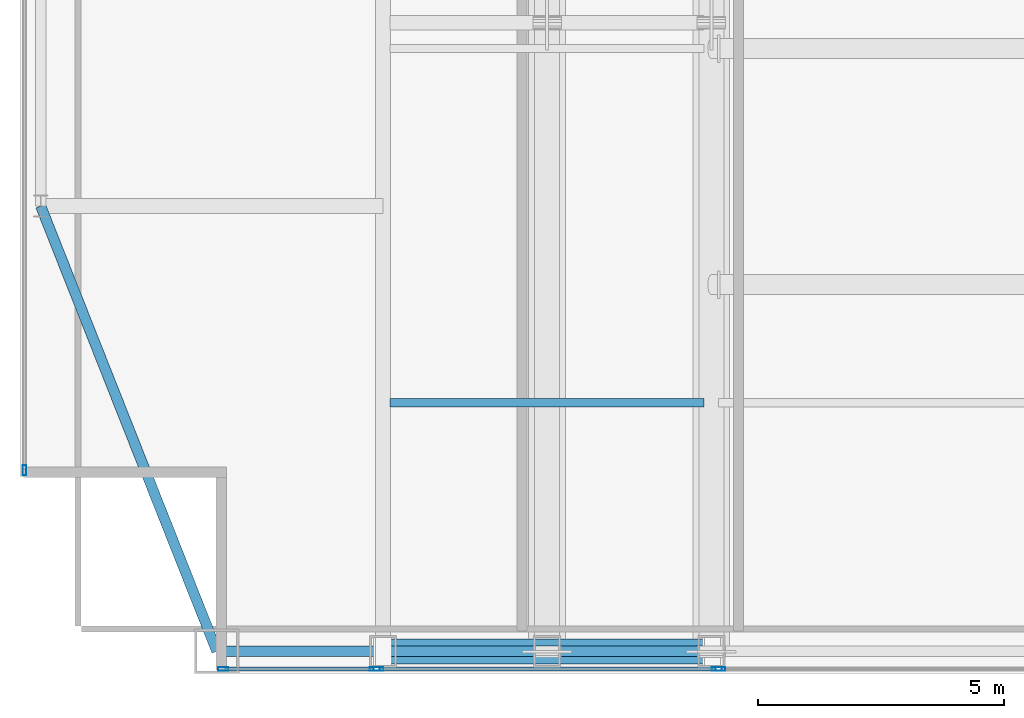
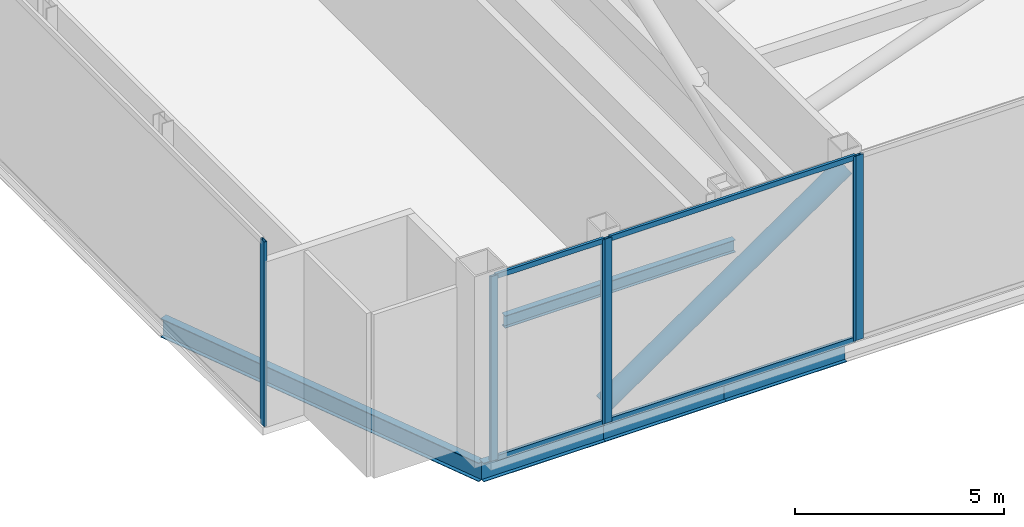
# One storey, part 4 of 26: 11 members, 5 beams, 4 elements without a shape of their own.
"""IFC4 building model written with IfcOpenShell, lengths in metres."""

import ifcopenshell
import ifcopenshell.guid

model = None  # the IFC model being written
_history = None  # IfcOwnerHistory: only IFC2X3 demands one
_inside = {}  # id of a spatial element -> (the spatial element, [elements in it])
_under = {}  # id of a project, library or spatial element -> (it, [spatial elements below it])
_declared = {}  # id of a project -> (the project, [libraries it declares])
_typed = {}  # id of a type object -> (the type object, [elements of that type])
_made_of = {}  # id of a material, layer set ... -> (it, [elements and type objects made of it])


def new_model(schema):
    """Start an empty IFC model of exactly this schema.

    Asked for "IFC4X3", IfcOpenShell would pick the latest addendum, in which some entities
    have other attributes; the version numbers below select the first issue.
    IFC2X3 requires an IfcOwnerHistory on every rooted entity: one is made here for all.
    """
    global model, _history
    if schema == "IFC4X3":
        model = ifcopenshell.file(schema_version=(4, 3, 0, 0))
    else:
        model = ifcopenshell.file(schema=schema)
    _inside.clear()
    _under.clear()
    _declared.clear()
    _typed.clear()
    _made_of.clear()
    _history = None
    if model.schema == "IFC2X3":
        org = make("IfcOrganization", Name="unknown")
        user = make(
            "IfcPersonAndOrganization",
            ThePerson=make("IfcPerson", FamilyName="unknown"),
            TheOrganization=org,
        )
        app = make(
            "IfcApplication",
            ApplicationDeveloper=org,
            Version="unknown",
            ApplicationFullName="unknown",
            ApplicationIdentifier="unknown",
        )
        _history = make(
            "IfcOwnerHistory",
            OwningUser=user,
            OwningApplication=app,
            ChangeAction="ADDED",
            CreationDate=0,
        )
    return model


def make(cls, **values):
    """One entity of the class cls with the attributes given. An attribute that is None is left unset."""
    return model.create_entity(
        cls, **{name: value for name, value in values.items() if value is not None}
    )


def rooted(cls, **values):
    """An entity with a GlobalId (a new one), such as an element, a storey or a relation."""
    return make(cls, GlobalId=ifcopenshell.guid.new(), OwnerHistory=_history, **values)


def si_unit(unit_type, name, prefix=None):
    """IfcSIUnit, for example si_unit("LENGTHUNIT", "METRE", prefix="MILLI")."""
    return make("IfcSIUnit", UnitType=unit_type, Prefix=prefix, Name=name)


def assignment(units):
    """IfcUnitAssignment: the units of a project."""
    return None if units is None else make("IfcUnitAssignment", Units=units)


def point(xyz):
    """IfcCartesianPoint."""
    return None if xyz is None else make("IfcCartesianPoint", Coordinates=xyz)


def direction(xyz):
    """IfcDirection."""
    return None if xyz is None else make("IfcDirection", DirectionRatios=xyz)


def frame(location, z_axis=None, x_axis=None):
    """IfcAxis2Placement3D, a coordinate frame: its origin and axes. An axis left out is left unset."""
    return make(
        "IfcAxis2Placement3D",
        Location=point(location),
        Axis=direction(z_axis),
        RefDirection=direction(x_axis),
    )


def frame_2d(location, x_axis=None):
    """IfcAxis2Placement2D, a coordinate frame in the plane: its origin and x axis."""
    return make(
        "IfcAxis2Placement2D", Location=point(location), RefDirection=direction(x_axis)
    )


def origin():
    """The frame at (0, 0, 0) with its axes left unset."""
    return frame((0.0, 0.0, 0.0))


def origin_2d():
    """The frame at (0, 0) in the plane with its x axis left unset."""
    return frame_2d((0.0, 0.0))


def place(relative_to, where):
    """IfcLocalPlacement: puts the frame where relative to a parent placement (None: the world)."""
    return make(
        "IfcLocalPlacement", PlacementRelTo=relative_to, RelativePlacement=where
    )


def context(
    kind, dimensions, precision=None, world=None, true_north=None, identifier=None
):
    """IfcGeometricRepresentationContext, for example the 3D "Model" context."""
    return make(
        "IfcGeometricRepresentationContext",
        ContextIdentifier=identifier,
        ContextType=kind,
        CoordinateSpaceDimension=dimensions,
        Precision=precision,
        WorldCoordinateSystem=world,
        TrueNorth=true_north,
    )


def subcontext(parent, identifier, kind, view, scale=None):
    """IfcGeometricRepresentationSubContext, for example "Body" below "Model"."""
    return make(
        "IfcGeometricRepresentationSubContext",
        ContextIdentifier=identifier,
        ContextType=kind,
        ParentContext=parent,
        TargetScale=scale,
        TargetView=view,
    )


def project(units=None, contexts=None):
    """IfcProject with its units and contexts."""
    return rooted(
        "IfcProject",
        Name="project",
        RepresentationContexts=contexts,
        UnitsInContext=assignment(units),
    )


def spatial(cls, under=None, at=None, **own):
    """A site, building, storey or space (cls), placed at a placement, below another one or the project."""
    s = rooted(cls, ObjectPlacement=at, **own)
    if under is not None:
        _under.setdefault(under.id(), (under, []))[1].append(s)
    return s


def profile(cls, at=None, kind="AREA", **sizes):
    """A parametric profile (cls). Its sizes go by their IFC names, for example OverallWidth=200.0."""
    return make(cls, ProfileType=kind, Position=at, **sizes)


def hollow_rectangle(**sizes):
    """IfcRectangleHollowProfileDef."""
    return profile("IfcRectangleHollowProfileDef", **sizes)


def hollow_circle(**sizes):
    """IfcCircleHollowProfileDef."""
    return profile("IfcCircleHollowProfileDef", **sizes)


def i_section(**sizes):
    """IfcIShapeProfileDef."""
    return profile("IfcIShapeProfileDef", **sizes)


def extrude(swept, where, along, depth):
    """IfcExtrudedAreaSolid: the profile swept, set in the frame where, extruded along a direction by depth."""
    return make(
        "IfcExtrudedAreaSolid",
        SweptArea=swept,
        Position=where,
        ExtrudedDirection=direction(along),
        Depth=depth,
    )


def shape(context_of_items, identifier, shape_type, items):
    """IfcShapeRepresentation: the items that make up one representation, for example the "Body"."""
    return make(
        "IfcShapeRepresentation",
        ContextOfItems=context_of_items,
        RepresentationIdentifier=identifier,
        RepresentationType=shape_type,
        Items=items,
    )


def material(Name=None, Category=None):
    """IfcMaterial."""
    return make("IfcMaterial", Name=Name, Category=Category)


def material_profile(
    of_material, cross_section, Name=None, Category=None, Priority=None
):
    """IfcMaterialProfile: a cross section and its material."""
    return make(
        "IfcMaterialProfile",
        Name=Name,
        Material=of_material,
        Profile=cross_section,
        Priority=Priority,
        Category=Category,
    )


def profile_set(profiles, Name=None, composite=None):
    """IfcMaterialProfileSet."""
    return make(
        "IfcMaterialProfileSet",
        Name=Name,
        MaterialProfiles=profiles,
        CompositeProfile=composite,
    )


def made_of(thing, what):
    """Note that an element or type object is made of a material, layer set ...; save() writes the relation."""
    if what is not None:
        _made_of.setdefault(what.id(), (what, []))[1].append(thing)
    return thing


def type_object(cls, material=None, **own):
    """A type object (cls), such as IfcWallType, which elements share."""
    return made_of(rooted(cls, **own), material)


def element(
    cls,
    number,
    at=None,
    inside=None,
    cuts=None,
    type_object=None,
    material=None,
    context=None,
    identifier="Body",
    shape_type=None,
    held_by="IfcProductDefinitionShape",
    body=None,
    shapes=None,
    **own,
):
    """One element of the class cls, such as IfcWall. Its Tag is "e" and its number.

    at: its placement. inside: the storey or other place that contains it. cuts: it is an
    opening in that element (IfcRelVoidsElement). A single representation is given by context,
    identifier, shape_type and body (its items); several are given by shapes. held_by: the class
    of the entity that holds the representations. save() writes the other relations.
    """
    e = rooted(cls, Tag="e%d" % number, ObjectPlacement=at, **own)
    if body is not None:
        shapes = [shape(context, identifier, shape_type, body)]
    if shapes is not None:
        e.Representation = make(held_by, Representations=shapes)
    if inside is not None:
        _inside.setdefault(inside.id(), (inside, []))[1].append(e)
    if cuts is not None:
        rooted(
            "IfcRelVoidsElement", RelatingBuildingElement=cuts, RelatedOpeningElement=e
        )
    if type_object is not None:
        _typed.setdefault(type_object.id(), (type_object, []))[1].append(e)
    return made_of(e, material)


def aggregate(whole, parts):
    """IfcRelAggregates: a whole, such as a stair, and the parts it consists of."""
    return rooted("IfcRelAggregates", RelatingObject=whole, RelatedObjects=parts)


def save(model, path):
    """Write the relations noted so far, then the file.

    IfcRelAggregates (storeys below a building ...), IfcRelContainedInSpatialStructure (elements
    in a storey), IfcRelDefinesByType, IfcRelAssociatesMaterial and IfcRelDeclares: one each for
    every whole, place, type object, material and project.
    """
    for whole, parts in _under.values():
        aggregate(whole, parts)
    for where, things in _inside.values():
        rooted(
            "IfcRelContainedInSpatialStructure",
            RelatedElements=things,
            RelatingStructure=where,
        )
    for kind, things in _typed.values():
        rooted("IfcRelDefinesByType", RelatedObjects=things, RelatingType=kind)
    for what, things in _made_of.values():
        rooted("IfcRelAssociatesMaterial", RelatedObjects=things, RelatingMaterial=what)
    for by, libraries in _declared.values():
        rooted("IfcRelDeclares", RelatingContext=by, RelatedDefinitions=libraries)
    model.write(path)


model = new_model("IFC4")

# Units and contexts
model_context = context("Model", 3, precision=1e-05, world=origin(), true_north=direction((0.0, 1.0)))
body_context = subcontext(model_context, "Body", "Model", "MODEL_VIEW")
ifc_project = project(units=[si_unit("LENGTHUNIT", "METRE"), si_unit("AREAUNIT", "SQUARE_METRE"), si_unit("VOLUMEUNIT", "CUBIC_METRE"), si_unit("PLANEANGLEUNIT", "RADIAN"), si_unit("MASSUNIT", "GRAM", prefix="KILO")], contexts=[model_context])

# Site, building, storey
site_placement = place(None, origin())
site = spatial("IfcSite", under=ifc_project, at=site_placement, CompositionType="ELEMENT")
building_placement = place(site_placement, origin())
building = spatial("IfcBuilding", under=site, at=building_placement, Name="Khoronbel Lancet Exchange", CompositionType="ELEMENT")
storey_placement = place(building_placement, frame((0.0, 0.0, 350.60009765625)))
storey = spatial("IfcBuildingStorey", under=building, at=storey_placement, Name="L91", CompositionType="ELEMENT", Elevation=350.60009765625)

# Beams
ifc_material_1 = material(Name="Steel S355", Category="steel")
ifc_material_profile_1 = material_profile(ifc_material_1, i_section(OverallWidth=0.169921875, OverallDepth=0.360107421875, WebThickness=0.008056640625, FlangeThickness=0.0126953125, at=origin_2d()), Name="IPE 360")
ifc_profile_set_1 = profile_set([ifc_material_profile_1], Name="Steel S355")
beam_type_1 = type_object("IfcBeamType", Name="BM-BJ6", PredefinedType="JOIST", material=ifc_profile_set_1)
beam_1_placement = place(storey_placement, frame((18.375, 15.199951171875, -0.400146484375), z_axis=(1.0, 0.0, 0.0), x_axis=(0.0, 1.0, 0.0)))
element("IfcBeam", 1, at=beam_1_placement, inside=storey, type_object=beam_type_1, Name="Level L91 secondary composite joist J01", PredefinedType="JOIST", context=body_context, shape_type="SweptSolid", body=[
    extrude(i_section(OverallWidth=0.169921875, OverallDepth=0.360107421875, WebThickness=0.008056640625, FlangeThickness=0.0126953125, at=origin_2d()), origin(), (0.0, 0.0, 1.0), 6.375),
])
ifc_material_profile_2 = material_profile(ifc_material_1, i_section(OverallWidth=0.2099609375, OverallDepth=0.550048828125, WebThickness=0.010986328125, FlangeThickness=0.01708984375, at=origin_2d()), Name="IPE 550")
ifc_profile_set_2 = profile_set([ifc_material_profile_2], Name="Steel S355")
beam_type_2 = type_object("IfcBeamType", Name="BM-BSP3", PredefinedType="SPANDREL", material=ifc_profile_set_2)
beam_2_placement = place(storey_placement, frame((14.85009765625, 10.14990234375, -0.4951171875), z_axis=(1.0, 0.0, 0.0), x_axis=(0.0, 1.0, 0.0)))
element("IfcBeam", 2, at=beam_2_placement, inside=storey, type_object=beam_type_2, Name="Level L91 perimeter spandrel beam SP01", PredefinedType="SPANDREL", context=body_context, shape_type="SweptSolid", body=[
    extrude(i_section(OverallWidth=0.2099609375, OverallDepth=0.550048828125, WebThickness=0.010986328125, FlangeThickness=0.01708984375, at=origin_2d()), origin(), (0.0, 0.0, 1.0), 3.375),
])
for number, where, z_axis, x_axis, name in (
    (3, (18.22509765625, 10.14990234375, -0.4951171875), (1.0, 0.0, 0.0), (0.0, 1.0, 0.0), "Level L91 perimeter spandrel beam SP02"),
    (4, (21.5625, 10.14990234375, -0.4951171875), (1.0, 0.0, 0.0), (0.0, 1.0, 0.0), "Level L91 perimeter spandrel beam SP03"),
):
    element("IfcBeam", number, at=place(storey_placement, frame(where, z_axis=z_axis, x_axis=x_axis)), inside=storey, type_object=beam_type_2, Name=name, PredefinedType="SPANDREL", context=body_context, shape_type="SweptSolid", body=[
        extrude(i_section(OverallWidth=0.2099609375, OverallDepth=0.550048828125, WebThickness=0.010986328125, FlangeThickness=0.01708984375, at=origin_2d()), origin(), (0.0, 0.0, 1.0), 3.33740234375),
    ])
beam_3_placement = place(storey_placement, frame((11.27001953125, 19.199951171875, -0.4951171875), z_axis=(0.367850095026, -0.92988510451, 0.0), x_axis=(0.92988510451, 0.367850095026, 0.0)))
element("IfcBeam", 5, at=beam_3_placement, inside=storey, type_object=beam_type_2, Name="Level L91 perimeter spandrel beam SP19", PredefinedType="SPANDREL", context=body_context, shape_type="SweptSolid", body=[
    extrude(i_section(OverallWidth=0.2099609375, OverallDepth=0.550048828125, WebThickness=0.010986328125, FlangeThickness=0.01708984375, at=origin_2d()), origin(), (0.0, 0.0, 1.0), 9.732421875),
])

# Curtain wall, member
ifc_material_2 = material(Name="Low-E Solar Control Insulating Glass", Category="glass")
curtain_wall_type = type_object("IfcCurtainWallType", Name="CW-6", PredefinedType="NOTDEFINED", material=ifc_material_2)
curtain_wall_1_placement = place(storey_placement, origin())
curtain_wall_1 = element("IfcCurtainWall", 6, at=curtain_wall_1_placement, inside=storey, type_object=curtain_wall_type, Name="Unitised curtain wall CW-L91-E03", PredefinedType="NOTDEFINED")
ifc_material_3 = material(Name="Bronze-Anodised Aluminium 6063-T6", Category="aluminium")
ifc_material_profile_3 = material_profile(ifc_material_3, hollow_rectangle(XDim=0.074951171875, YDim=0.199951171875, WallThickness=0.0048828125, at=origin_2d()), Name="ALU MULLION 75x200")
ifc_profile_set_3 = profile_set([ifc_material_profile_3], Name="Bronze-Anodised Aluminium 6063-T6")
member_type_1 = type_object("IfcMemberType", Name="MEM-CWM2", PredefinedType="MULLION", material=ifc_profile_set_3)
member_1_placement = place(storey_placement, frame((10.93994140625, 13.827392578125, 0.0), z_axis=(0.0, 0.0, 1.0), x_axis=(-1.0, 0.0, 0.0)))
member_1 = element("IfcMember", 7, at=member_1_placement, type_object=member_type_1, Name="CW6 mullion 1", PredefinedType="MULLION", context=body_context, shape_type="SweptSolid", body=[
    extrude(hollow_rectangle(XDim=0.074951171875, YDim=0.199951171875, WallThickness=0.0048828125, at=origin_2d()), origin(), (0.0, 0.0, 1.0), 5.39990234375),
])
aggregate(curtain_wall_1, [member_1])

# Curtain wall, members
curtain_wall_2_placement = place(storey_placement, origin())
curtain_wall_2 = element("IfcCurtainWall", 8, at=curtain_wall_2_placement, inside=storey, type_object=curtain_wall_type, Name="Unitised curtain wall CW-L91-SW-GLZ", PredefinedType="NOTDEFINED")
member_2_placement = place(storey_placement, frame((14.9775390625, 9.7900390625, 0.0), z_axis=(0.0, 0.0, 1.0), x_axis=(0.0, 1.0, 0.0)))
member_2 = element("IfcMember", 9, at=member_2_placement, type_object=member_type_1, Name="CW6 mullion 1", PredefinedType="MULLION", context=body_context, shape_type="SweptSolid", body=[
    extrude(hollow_rectangle(XDim=0.074951171875, YDim=0.199951171875, WallThickness=0.0048828125, at=origin_2d()), origin(), (0.0, 0.0, 1.0), 5.39990234375),
])
member_3_placement = place(storey_placement, frame((18.0625, 9.7900390625, 0.0), z_axis=(0.0, 0.0, 1.0), x_axis=(0.0, 1.0, 0.0)))
member_3 = element("IfcMember", 10, at=member_3_placement, type_object=member_type_1, Name="CW6 mullion 2", PredefinedType="MULLION", context=body_context, shape_type="SweptSolid", body=[
    extrude(hollow_rectangle(XDim=0.074951171875, YDim=0.199951171875, WallThickness=0.0048828125, at=origin_2d()), origin(), (0.0, 0.0, 1.0), 5.39990234375),
])

curtain_wall_3_placement = place(storey_placement, origin())
curtain_wall_3 = element("IfcCurtainWall", 11, at=curtain_wall_3_placement, inside=storey, type_object=curtain_wall_type, Name="Unitised curtain wall CW-L91-SW-BLT", PredefinedType="NOTDEFINED")
member_4_placement = place(storey_placement, frame((18.137451171875, 9.7900390625, 0.0), z_axis=(0.0, 0.0, 1.0), x_axis=(0.0, 1.0, 0.0)))
member_4 = element("IfcMember", 12, at=member_4_placement, type_object=member_type_1, Name="CW6 mullion 1", PredefinedType="MULLION", context=body_context, shape_type="SweptSolid", body=[
    extrude(hollow_rectangle(XDim=0.074951171875, YDim=0.199951171875, WallThickness=0.0048828125, at=origin_2d()), origin(), (0.0, 0.0, 1.0), 5.39990234375),
])
member_5_placement = place(storey_placement, frame((25.012451171875, 9.7900390625, 0.0), z_axis=(0.0, 0.0, 1.0), x_axis=(0.0, 1.0, 0.0)))
member_5 = element("IfcMember", 13, at=member_5_placement, type_object=member_type_1, Name="CW6 mullion 2", PredefinedType="MULLION", context=body_context, shape_type="SweptSolid", body=[
    extrude(hollow_rectangle(XDim=0.074951171875, YDim=0.199951171875, WallThickness=0.0048828125, at=origin_2d()), origin(), (0.0, 0.0, 1.0), 5.39990234375),
])

# Curtain wall, member
curtain_wall_4_placement = place(storey_placement, origin())
curtain_wall_4 = element("IfcCurtainWall", 14, at=curtain_wall_4_placement, inside=storey, type_object=curtain_wall_type, Name="Unitised curtain wall CW-L91-SC-TMD", PredefinedType="NOTDEFINED")
member_6_placement = place(storey_placement, frame((25.08740234375, 9.7900390625, 0.0), z_axis=(0.0, 0.0, 1.0), x_axis=(0.0, 1.0, 0.0)))
member_6 = element("IfcMember", 15, at=member_6_placement, type_object=member_type_1, Name="CW6 mullion 1", PredefinedType="MULLION", context=body_context, shape_type="SweptSolid", body=[
    extrude(hollow_rectangle(XDim=0.074951171875, YDim=0.199951171875, WallThickness=0.0048828125, at=origin_2d()), origin(), (0.0, 0.0, 1.0), 5.39990234375),
])
aggregate(curtain_wall_4, [member_6])

# Member
ifc_material_profile_4 = material_profile(ifc_material_3, hollow_rectangle(XDim=0.074951171875, YDim=0.14990234375, WallThickness=0.00439453125, at=origin_2d()), Name="ALU TRANSOM 75x150")
ifc_profile_set_4 = profile_set([ifc_material_profile_4], Name="Bronze-Anodised Aluminium 6063-T6")
member_type_2 = type_object("IfcMemberType", Name="MEM-CWT2", PredefinedType="USERDEFINED", material=ifc_profile_set_4)
member_7_placement = place(storey_placement, frame((15.014892578125, 9.7900390625, 0.037353515625), z_axis=(1.0, 0.0, 0.0), x_axis=(0.0, 1.0, 0.0)))
member_7 = element("IfcMember", 16, at=member_7_placement, type_object=member_type_2, Name="CW6 transom 1.1", ObjectType="TRANSOM", PredefinedType="USERDEFINED", context=body_context, shape_type="SweptSolid", body=[
    extrude(hollow_rectangle(XDim=0.074951171875, YDim=0.14990234375, WallThickness=0.00439453125, at=origin_2d()), origin(), (0.0, 0.0, 1.0), 3.010009765625),
])

member_8_placement = place(storey_placement, frame((15.014892578125, 9.7900390625, 5.3623046875), z_axis=(1.0, 0.0, 0.0), x_axis=(0.0, 1.0, 0.0)))
member_8 = element("IfcMember", 17, at=member_8_placement, type_object=member_type_2, Name="CW6 transom 1.2", ObjectType="TRANSOM", PredefinedType="USERDEFINED", context=body_context, shape_type="SweptSolid", body=[
    extrude(hollow_rectangle(XDim=0.074951171875, YDim=0.14990234375, WallThickness=0.00439453125, at=origin_2d()), origin(), (0.0, 0.0, 1.0), 3.010009765625),
])

aggregate(curtain_wall_2, [member_2, member_3, member_7, member_8])

member_9_placement = place(storey_placement, frame((18.175048828125, 9.7900390625, 0.037353515625), z_axis=(1.0, 0.0, 0.0), x_axis=(0.0, 1.0, 0.0)))
member_9 = element("IfcMember", 18, at=member_9_placement, type_object=member_type_2, Name="CW6 transom 1.1", ObjectType="TRANSOM", PredefinedType="USERDEFINED", context=body_context, shape_type="SweptSolid", body=[
    extrude(hollow_rectangle(XDim=0.074951171875, YDim=0.14990234375, WallThickness=0.00439453125, at=origin_2d()), origin(), (0.0, 0.0, 1.0), 6.800048828125),
])

member_10_placement = place(storey_placement, frame((18.175048828125, 9.7900390625, 5.3623046875), z_axis=(1.0, 0.0, 0.0), x_axis=(0.0, 1.0, 0.0)))
member_10 = element("IfcMember", 19, at=member_10_placement, type_object=member_type_2, Name="CW6 transom 1.2", ObjectType="TRANSOM", PredefinedType="USERDEFINED", context=body_context, shape_type="SweptSolid", body=[
    extrude(hollow_rectangle(XDim=0.074951171875, YDim=0.14990234375, WallThickness=0.00439453125, at=origin_2d()), origin(), (0.0, 0.0, 1.0), 6.800048828125),
])

aggregate(curtain_wall_3, [member_4, member_5, member_9, member_10])

ifc_material_4 = material(Name="Steel S460", Category="steel")
ifc_material_profile_5 = material_profile(ifc_material_4, hollow_circle(Radius=0.25390625, WallThickness=0.02490234375, at=origin_2d()), Name="CHS 508x25")
ifc_profile_set_5 = profile_set([ifc_material_profile_5], Name="Steel S460")
member_type_3 = type_object("IfcMemberType", Name="MEM-OBR2", PredefinedType="BRACE", material=ifc_profile_set_5)
member_11_placement = place(storey_placement, frame((18.22509765625, 10.14990234375, 0.2998046875), z_axis=(0.823398151931, 0.0, 0.567464081151), x_axis=(0.0, 1.0, 0.0)))
element("IfcMember", 20, at=member_11_placement, inside=storey, type_object=member_type_3, Name="Perimeter belt-truss diagonal L91-1", PredefinedType="BRACE", context=body_context, shape_type="SweptSolid", body=[
    extrude(hollow_circle(Radius=0.25390625, WallThickness=0.02490234375, at=origin_2d()), origin(), (0.0, 0.0, 1.0), 8.1064453125),
])

save(model, "model.ifc")
